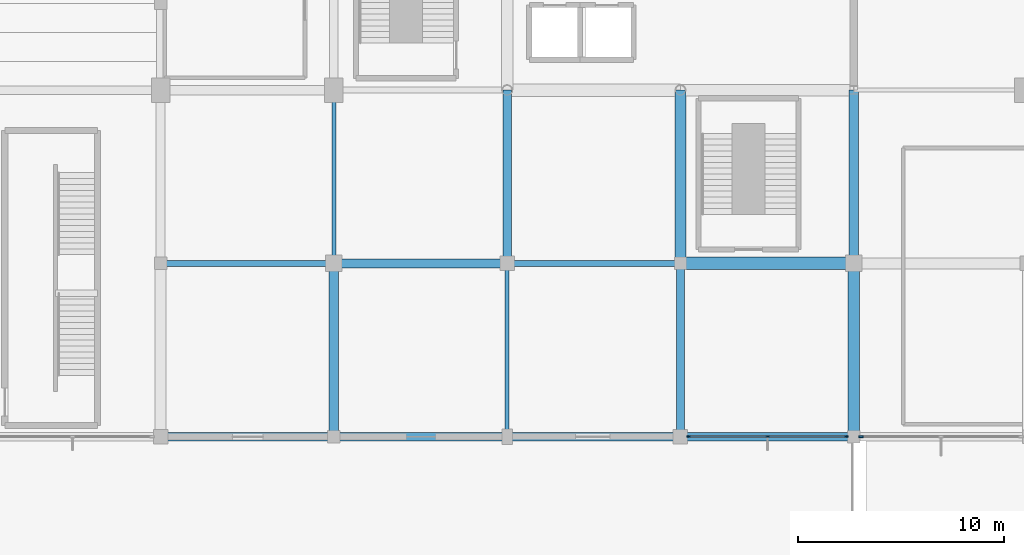
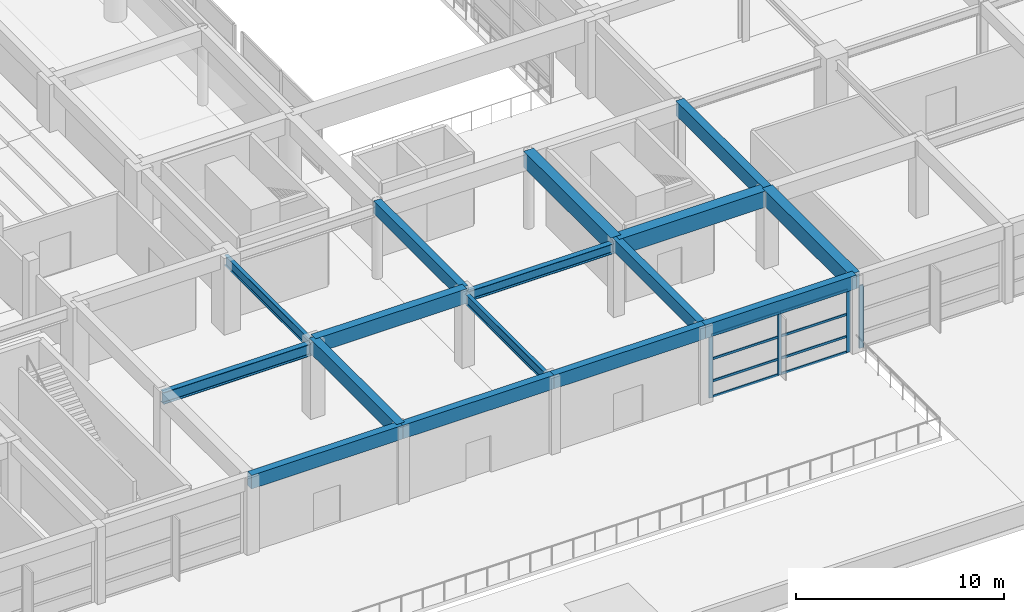
# One storey, part 15 of 60: 16 beams, 12 members, 2 elements without a shape of their own.
"""IFC4 building model written with IfcOpenShell, lengths in metres."""

import ifcopenshell
import ifcopenshell.guid

model = None  # the IFC model being written
_history = None  # IfcOwnerHistory: only IFC2X3 demands one
_inside = {}  # id of a spatial element -> (the spatial element, [elements in it])
_under = {}  # id of a project, library or spatial element -> (it, [spatial elements below it])
_declared = {}  # id of a project -> (the project, [libraries it declares])
_typed = {}  # id of a type object -> (the type object, [elements of that type])
_made_of = {}  # id of a material, layer set ... -> (it, [elements and type objects made of it])


def new_model(schema):
    """Start an empty IFC model of exactly this schema.

    Asked for "IFC4X3", IfcOpenShell would pick the latest addendum, in which some entities
    have other attributes; the version numbers below select the first issue.
    IFC2X3 requires an IfcOwnerHistory on every rooted entity: one is made here for all.
    """
    global model, _history
    if schema == "IFC4X3":
        model = ifcopenshell.file(schema_version=(4, 3, 0, 0))
    else:
        model = ifcopenshell.file(schema=schema)
    _inside.clear()
    _under.clear()
    _declared.clear()
    _typed.clear()
    _made_of.clear()
    _history = None
    if model.schema == "IFC2X3":
        org = make("IfcOrganization", Name="unknown")
        user = make(
            "IfcPersonAndOrganization",
            ThePerson=make("IfcPerson", FamilyName="unknown"),
            TheOrganization=org,
        )
        app = make(
            "IfcApplication",
            ApplicationDeveloper=org,
            Version="unknown",
            ApplicationFullName="unknown",
            ApplicationIdentifier="unknown",
        )
        _history = make(
            "IfcOwnerHistory",
            OwningUser=user,
            OwningApplication=app,
            ChangeAction="ADDED",
            CreationDate=0,
        )
    return model


def make(cls, **values):
    """One entity of the class cls with the attributes given. An attribute that is None is left unset."""
    return model.create_entity(
        cls, **{name: value for name, value in values.items() if value is not None}
    )


def rooted(cls, **values):
    """An entity with a GlobalId (a new one), such as an element, a storey or a relation."""
    return make(cls, GlobalId=ifcopenshell.guid.new(), OwnerHistory=_history, **values)


def si_unit(unit_type, name, prefix=None):
    """IfcSIUnit, for example si_unit("LENGTHUNIT", "METRE", prefix="MILLI")."""
    return make("IfcSIUnit", UnitType=unit_type, Prefix=prefix, Name=name)


def assignment(units):
    """IfcUnitAssignment: the units of a project."""
    return None if units is None else make("IfcUnitAssignment", Units=units)


def point(xyz):
    """IfcCartesianPoint."""
    return None if xyz is None else make("IfcCartesianPoint", Coordinates=xyz)


def direction(xyz):
    """IfcDirection."""
    return None if xyz is None else make("IfcDirection", DirectionRatios=xyz)


def frame(location, z_axis=None, x_axis=None):
    """IfcAxis2Placement3D, a coordinate frame: its origin and axes. An axis left out is left unset."""
    return make(
        "IfcAxis2Placement3D",
        Location=point(location),
        Axis=direction(z_axis),
        RefDirection=direction(x_axis),
    )


def frame_2d(location, x_axis=None):
    """IfcAxis2Placement2D, a coordinate frame in the plane: its origin and x axis."""
    return make(
        "IfcAxis2Placement2D", Location=point(location), RefDirection=direction(x_axis)
    )


def origin():
    """The frame at (0, 0, 0) with its axes left unset."""
    return frame((0.0, 0.0, 0.0))


def origin_2d():
    """The frame at (0, 0) in the plane with its x axis left unset."""
    return frame_2d((0.0, 0.0))


def place(relative_to, where):
    """IfcLocalPlacement: puts the frame where relative to a parent placement (None: the world)."""
    return make(
        "IfcLocalPlacement", PlacementRelTo=relative_to, RelativePlacement=where
    )


def context(
    kind, dimensions, precision=None, world=None, true_north=None, identifier=None
):
    """IfcGeometricRepresentationContext, for example the 3D "Model" context."""
    return make(
        "IfcGeometricRepresentationContext",
        ContextIdentifier=identifier,
        ContextType=kind,
        CoordinateSpaceDimension=dimensions,
        Precision=precision,
        WorldCoordinateSystem=world,
        TrueNorth=true_north,
    )


def subcontext(parent, identifier, kind, view, scale=None):
    """IfcGeometricRepresentationSubContext, for example "Body" below "Model"."""
    return make(
        "IfcGeometricRepresentationSubContext",
        ContextIdentifier=identifier,
        ContextType=kind,
        ParentContext=parent,
        TargetScale=scale,
        TargetView=view,
    )


def project(units=None, contexts=None):
    """IfcProject with its units and contexts."""
    return rooted(
        "IfcProject",
        Name="project",
        RepresentationContexts=contexts,
        UnitsInContext=assignment(units),
    )


def spatial(cls, under=None, at=None, **own):
    """A site, building, storey or space (cls), placed at a placement, below another one or the project."""
    s = rooted(cls, ObjectPlacement=at, **own)
    if under is not None:
        _under.setdefault(under.id(), (under, []))[1].append(s)
    return s


def profile(cls, at=None, kind="AREA", **sizes):
    """A parametric profile (cls). Its sizes go by their IFC names, for example OverallWidth=200.0."""
    return make(cls, ProfileType=kind, Position=at, **sizes)


def rectangle(**sizes):
    """IfcRectangleProfileDef."""
    return profile("IfcRectangleProfileDef", **sizes)


def i_section(**sizes):
    """IfcIShapeProfileDef."""
    return profile("IfcIShapeProfileDef", **sizes)


def extrude(swept, where, along, depth):
    """IfcExtrudedAreaSolid: the profile swept, set in the frame where, extruded along a direction by depth."""
    return make(
        "IfcExtrudedAreaSolid",
        SweptArea=swept,
        Position=where,
        ExtrudedDirection=direction(along),
        Depth=depth,
    )


def shape(context_of_items, identifier, shape_type, items):
    """IfcShapeRepresentation: the items that make up one representation, for example the "Body"."""
    return make(
        "IfcShapeRepresentation",
        ContextOfItems=context_of_items,
        RepresentationIdentifier=identifier,
        RepresentationType=shape_type,
        Items=items,
    )


def material(Name=None, Category=None):
    """IfcMaterial."""
    return make("IfcMaterial", Name=Name, Category=Category)


def material_profile(
    of_material, cross_section, Name=None, Category=None, Priority=None
):
    """IfcMaterialProfile: a cross section and its material."""
    return make(
        "IfcMaterialProfile",
        Name=Name,
        Material=of_material,
        Profile=cross_section,
        Priority=Priority,
        Category=Category,
    )


def profile_set(profiles, Name=None, composite=None):
    """IfcMaterialProfileSet."""
    return make(
        "IfcMaterialProfileSet",
        Name=Name,
        MaterialProfiles=profiles,
        CompositeProfile=composite,
    )


def made_of(thing, what):
    """Note that an element or type object is made of a material, layer set ...; save() writes the relation."""
    if what is not None:
        _made_of.setdefault(what.id(), (what, []))[1].append(thing)
    return thing


def type_object(cls, material=None, **own):
    """A type object (cls), such as IfcWallType, which elements share."""
    return made_of(rooted(cls, **own), material)


def element(
    cls,
    number,
    at=None,
    inside=None,
    cuts=None,
    type_object=None,
    material=None,
    context=None,
    identifier="Body",
    shape_type=None,
    held_by="IfcProductDefinitionShape",
    body=None,
    shapes=None,
    **own,
):
    """One element of the class cls, such as IfcWall. Its Tag is "e" and its number.

    at: its placement. inside: the storey or other place that contains it. cuts: it is an
    opening in that element (IfcRelVoidsElement). A single representation is given by context,
    identifier, shape_type and body (its items); several are given by shapes. held_by: the class
    of the entity that holds the representations. save() writes the other relations.
    """
    e = rooted(cls, Tag="e%d" % number, ObjectPlacement=at, **own)
    if body is not None:
        shapes = [shape(context, identifier, shape_type, body)]
    if shapes is not None:
        e.Representation = make(held_by, Representations=shapes)
    if inside is not None:
        _inside.setdefault(inside.id(), (inside, []))[1].append(e)
    if cuts is not None:
        rooted(
            "IfcRelVoidsElement", RelatingBuildingElement=cuts, RelatedOpeningElement=e
        )
    if type_object is not None:
        _typed.setdefault(type_object.id(), (type_object, []))[1].append(e)
    return made_of(e, material)


def aggregate(whole, parts):
    """IfcRelAggregates: a whole, such as a stair, and the parts it consists of."""
    return rooted("IfcRelAggregates", RelatingObject=whole, RelatedObjects=parts)


def save(model, path):
    """Write the relations noted so far, then the file.

    IfcRelAggregates (storeys below a building ...), IfcRelContainedInSpatialStructure (elements
    in a storey), IfcRelDefinesByType, IfcRelAssociatesMaterial and IfcRelDeclares: one each for
    every whole, place, type object, material and project.
    """
    for whole, parts in _under.values():
        aggregate(whole, parts)
    for where, things in _inside.values():
        rooted(
            "IfcRelContainedInSpatialStructure",
            RelatedElements=things,
            RelatingStructure=where,
        )
    for kind, things in _typed.values():
        rooted("IfcRelDefinesByType", RelatedObjects=things, RelatingType=kind)
    for what, things in _made_of.values():
        rooted("IfcRelAssociatesMaterial", RelatedObjects=things, RelatingMaterial=what)
    for by, libraries in _declared.values():
        rooted("IfcRelDeclares", RelatingContext=by, RelatedDefinitions=libraries)
    model.write(path)


model = new_model("IFC4")

# Units and contexts
model_context = context("Model", 3, precision=1e-05, world=origin(), true_north=direction((0.0, 1.0)))
body_context = subcontext(model_context, "Body", "Model", "MODEL_VIEW")
ifc_project = project(units=[si_unit("LENGTHUNIT", "METRE"), si_unit("AREAUNIT", "SQUARE_METRE"), si_unit("VOLUMEUNIT", "CUBIC_METRE"), si_unit("PLANEANGLEUNIT", "RADIAN"), si_unit("MASSUNIT", "GRAM", prefix="KILO")], contexts=[model_context])

# Site, building, storey
site_placement = place(None, origin())
site = spatial("IfcSite", under=ifc_project, at=site_placement, CompositionType="ELEMENT")
building_placement = place(site_placement, origin())
building = spatial("IfcBuilding", under=site, at=building_placement, Name="Xuanlan Plaza Opera House", CompositionType="ELEMENT")
storey_placement = place(building_placement, frame((0.0, 0.0, 9.89990234375)))
storey = spatial("IfcBuildingStorey", under=building, at=storey_placement, Name="L02", CompositionType="ELEMENT", Elevation=9.89990234375)

# Curtain wall, members
ifc_material_1 = material(Name="Anodised Aluminium 6063-T6 and Low-E Glass", Category="aluminium")
curtain_wall_type_1 = type_object("IfcCurtainWallType", Name="ENV-CW-CW-05", PredefinedType="USERDEFINED", material=ifc_material_1)
curtain_wall_1_placement = place(storey_placement, origin())
curtain_wall_1 = element("IfcCurtainWall", 1, at=curtain_wall_1_placement, inside=storey, type_object=curtain_wall_type_1, Name="Acoustic Glazed Wall L02-014", ObjectType="ACOUSTIC GLAZED WALL", PredefinedType="USERDEFINED")
ifc_material_2 = material(Name="Anodised Aluminium 6063-T6", Category="aluminium")
ifc_material_profile_1 = material_profile(ifc_material_2, rectangle(XDim=0.074951171875, YDim=0.199951171875, at=origin_2d()), Name="ALU-M 75x200")
ifc_profile_set_1 = profile_set([ifc_material_profile_1], Name="Anodised Aluminium 6063-T6")
member_type_1 = type_object("IfcMemberType", Name="ENV-CWM-03", PredefinedType="MULLION", material=ifc_profile_set_1)
member_1_placement = place(storey_placement, frame((118.007568359375, 16.800048828125, 0.0), z_axis=(0.0, 0.0, 1.0), x_axis=(0.0, 1.0, 0.0)))
member_1 = element("IfcMember", 2, at=member_1_placement, type_object=member_type_1, Name="CW-05 mullion 1", PredefinedType="MULLION", context=body_context, shape_type="SweptSolid", body=[
    extrude(rectangle(XDim=0.074951171875, YDim=0.199951171875, at=origin_2d()), origin(), (0.0, 0.0, 1.0), 3.68017578125),
])
member_2_placement = place(storey_placement, frame((121.824951171875, 16.800048828125, 0.0), z_axis=(0.0, 0.0, 1.0), x_axis=(0.0, 1.0, 0.0)))
member_2 = element("IfcMember", 3, at=member_2_placement, type_object=member_type_1, Name="CW-05 mullion 2", PredefinedType="MULLION", context=body_context, shape_type="SweptSolid", body=[
    extrude(rectangle(XDim=0.074951171875, YDim=0.199951171875, at=origin_2d()), origin(), (0.0, 0.0, 1.0), 3.68017578125),
])
member_3_placement = place(storey_placement, frame((125.642578125, 16.800048828125, 0.0), z_axis=(0.0, 0.0, 1.0), x_axis=(0.0, 1.0, 0.0)))
member_3 = element("IfcMember", 4, at=member_3_placement, type_object=member_type_1, Name="CW-05 mullion 3", PredefinedType="MULLION", context=body_context, shape_type="SweptSolid", body=[
    extrude(rectangle(XDim=0.074951171875, YDim=0.199951171875, at=origin_2d()), origin(), (0.0, 0.0, 1.0), 3.68017578125),
])

# Curtain wall, member
curtain_wall_type_2 = type_object("IfcCurtainWallType", Name="ENV-CW-CW-06", PredefinedType="USERDEFINED", material=ifc_material_1)
curtain_wall_2_placement = place(storey_placement, origin())
curtain_wall_2 = element("IfcCurtainWall", 5, at=curtain_wall_2_placement, inside=storey, type_object=curtain_wall_type_2, Name="Acoustic Glazed Wall L02-015", ObjectType="ACOUSTIC GLAZED WALL", PredefinedType="USERDEFINED")
ifc_material_profile_2 = material_profile(ifc_material_2, rectangle(XDim=0.080078125, YDim=0.219970703125, at=origin_2d()), Name="ALU-M 80x220")
ifc_profile_set_2 = profile_set([ifc_material_profile_2], Name="Anodised Aluminium 6063-T6")
member_type_2 = type_object("IfcMemberType", Name="ENV-CWM-04", PredefinedType="MULLION", material=ifc_profile_set_2)
member_4_placement = place(storey_placement, frame((126.360107421875, 16.800048828125, 0.0), z_axis=(0.0, 0.0, 1.0), x_axis=(0.0, 1.0, 0.0)))
member_4 = element("IfcMember", 6, at=member_4_placement, type_object=member_type_2, Name="CW-06 mullion 1", PredefinedType="MULLION", context=body_context, shape_type="SweptSolid", body=[
    extrude(rectangle(XDim=0.080078125, YDim=0.219970703125, at=origin_2d()), origin(), (0.0, 0.0, 1.0), 3.68017578125),
])
aggregate(curtain_wall_2, [member_4])

# Member
ifc_material_profile_3 = material_profile(ifc_material_2, rectangle(XDim=0.070068359375, YDim=0.135009765625, at=origin_2d()), Name="ALU-T 70x135")
ifc_profile_set_3 = profile_set([ifc_material_profile_3], Name="Anodised Aluminium 6063-T6")
member_type_3 = type_object("IfcMemberType", Name="ENV-CWT-02", PredefinedType="USERDEFINED", material=ifc_profile_set_3)
member_5_placement = place(storey_placement, frame((118.044921875, 16.800048828125, 0.03515625), z_axis=(1.0, 0.0, 0.0), x_axis=(0.0, 1.0, 0.0)))
member_5 = element("IfcMember", 7, at=member_5_placement, type_object=member_type_3, Name="CW-05 transom 1.1", ObjectType="TRANSOM", PredefinedType="USERDEFINED", context=body_context, shape_type="SweptSolid", body=[
    extrude(rectangle(XDim=0.070068359375, YDim=0.135009765625, at=origin_2d()), origin(), (0.0, 0.0, 1.0), 3.74267578125),
])

member_6_placement = place(storey_placement, frame((118.044921875, 16.800048828125, 0.9501953125), z_axis=(1.0, 0.0, 0.0), x_axis=(0.0, 1.0, 0.0)))
member_6 = element("IfcMember", 8, at=member_6_placement, type_object=member_type_3, Name="CW-05 transom 1.2", ObjectType="TRANSOM", PredefinedType="USERDEFINED", context=body_context, shape_type="SweptSolid", body=[
    extrude(rectangle(XDim=0.070068359375, YDim=0.135009765625, at=origin_2d()), origin(), (0.0, 0.0, 1.0), 3.74267578125),
])

member_7_placement = place(storey_placement, frame((118.044921875, 16.800048828125, 2.25), z_axis=(1.0, 0.0, 0.0), x_axis=(0.0, 1.0, 0.0)))
member_7 = element("IfcMember", 9, at=member_7_placement, type_object=member_type_3, Name="CW-05 transom 1.3", ObjectType="TRANSOM", PredefinedType="USERDEFINED", context=body_context, shape_type="SweptSolid", body=[
    extrude(rectangle(XDim=0.070068359375, YDim=0.135009765625, at=origin_2d()), origin(), (0.0, 0.0, 1.0), 3.74267578125),
])

member_8_placement = place(storey_placement, frame((118.044921875, 16.800048828125, 3.64501953125), z_axis=(1.0, 0.0, 0.0), x_axis=(0.0, 1.0, 0.0)))
member_8 = element("IfcMember", 10, at=member_8_placement, type_object=member_type_3, Name="CW-05 transom 1.4", ObjectType="TRANSOM", PredefinedType="USERDEFINED", context=body_context, shape_type="SweptSolid", body=[
    extrude(rectangle(XDim=0.070068359375, YDim=0.135009765625, at=origin_2d()), origin(), (0.0, 0.0, 1.0), 3.74267578125),
])

member_9_placement = place(storey_placement, frame((121.862548828125, 16.800048828125, 0.03515625), z_axis=(1.0, 0.0, 0.0), x_axis=(0.0, 1.0, 0.0)))
member_9 = element("IfcMember", 11, at=member_9_placement, type_object=member_type_3, Name="CW-05 transom 2.1", ObjectType="TRANSOM", PredefinedType="USERDEFINED", context=body_context, shape_type="SweptSolid", body=[
    extrude(rectangle(XDim=0.070068359375, YDim=0.135009765625, at=origin_2d()), origin(), (0.0, 0.0, 1.0), 3.742431640625),
])

member_10_placement = place(storey_placement, frame((121.862548828125, 16.800048828125, 0.9501953125), z_axis=(1.0, 0.0, 0.0), x_axis=(0.0, 1.0, 0.0)))
member_10 = element("IfcMember", 12, at=member_10_placement, type_object=member_type_3, Name="CW-05 transom 2.2", ObjectType="TRANSOM", PredefinedType="USERDEFINED", context=body_context, shape_type="SweptSolid", body=[
    extrude(rectangle(XDim=0.070068359375, YDim=0.135009765625, at=origin_2d()), origin(), (0.0, 0.0, 1.0), 3.742431640625),
])

member_11_placement = place(storey_placement, frame((121.862548828125, 16.800048828125, 2.25), z_axis=(1.0, 0.0, 0.0), x_axis=(0.0, 1.0, 0.0)))
member_11 = element("IfcMember", 13, at=member_11_placement, type_object=member_type_3, Name="CW-05 transom 2.3", ObjectType="TRANSOM", PredefinedType="USERDEFINED", context=body_context, shape_type="SweptSolid", body=[
    extrude(rectangle(XDim=0.070068359375, YDim=0.135009765625, at=origin_2d()), origin(), (0.0, 0.0, 1.0), 3.742431640625),
])

member_12_placement = place(storey_placement, frame((121.862548828125, 16.800048828125, 3.64501953125), z_axis=(1.0, 0.0, 0.0), x_axis=(0.0, 1.0, 0.0)))
member_12 = element("IfcMember", 14, at=member_12_placement, type_object=member_type_3, Name="CW-05 transom 2.4", ObjectType="TRANSOM", PredefinedType="USERDEFINED", context=body_context, shape_type="SweptSolid", body=[
    extrude(rectangle(XDim=0.070068359375, YDim=0.135009765625, at=origin_2d()), origin(), (0.0, 0.0, 1.0), 3.742431640625),
])

aggregate(curtain_wall_1, [member_1, member_2, member_3, member_5, member_6, member_7, member_8, member_9, member_10, member_11, member_12])

# Beams
ifc_material_3 = material(Name="Concrete C50", Category="concrete")
ifc_material_profile_4 = material_profile(ifc_material_3, rectangle(XDim=0.60009765625, YDim=0.949951171875, at=origin_2d()), Name="RC-BM 600x950")
ifc_profile_set_4 = profile_set([ifc_material_profile_4], Name="Concrete C50")
beam_type_1 = type_object("IfcBeamType", Name="STR-BM-B-01", PredefinedType="BEAM", material=ifc_profile_set_4)
beam_1_placement = place(storey_placement, frame((117.60009765625, 25.199951171875, 4.025146484375), z_axis=(1.0, 0.0, 0.0), x_axis=(0.0, 1.0, 0.0)))
element("IfcBeam", 15, at=beam_1_placement, inside=storey, type_object=beam_type_1, Name="Grid Beam X L02 15-16/D", PredefinedType="BEAM", context=body_context, shape_type="SweptSolid", body=[
    extrude(rectangle(XDim=0.60009765625, YDim=0.949951171875, at=origin_2d()), origin(), (0.0, 0.0, 1.0), 8.39990234375),
])
ifc_material_profile_5 = material_profile(ifc_material_3, rectangle(XDim=0.550048828125, YDim=0.949951171875, at=origin_2d()), Name="RC-BM 550x950")
ifc_profile_set_5 = profile_set([ifc_material_profile_5], Name="Concrete C50")
beam_type_2 = type_object("IfcBeamType", Name="STR-BM-B-02", PredefinedType="BEAM", material=ifc_profile_set_5)
beam_2_placement = place(storey_placement, frame((117.60009765625, 25.199951171875, 4.025146484375), z_axis=(0.0, 1.0, 0.0), x_axis=(-1.0, 0.0, 0.0)))
element("IfcBeam", 16, at=beam_2_placement, inside=storey, type_object=beam_type_2, Name="Grid Beam Y L02 15/D-E", PredefinedType="BEAM", context=body_context, shape_type="SweptSolid", body=[
    extrude(rectangle(XDim=0.550048828125, YDim=0.949951171875, at=origin_2d()), origin(), (0.0, 0.0, 1.0), 8.400146484375),
])
beam_3_placement = place(storey_placement, frame((126.0, 16.800048828125, 4.025146484375), z_axis=(0.0, 1.0, 0.0), x_axis=(-1.0, 0.0, 0.0)))
element("IfcBeam", 17, at=beam_3_placement, inside=storey, type_object=beam_type_2, Name="Grid Beam Y L02 16/C-D", PredefinedType="BEAM", context=body_context, shape_type="SweptSolid", body=[
    extrude(rectangle(XDim=0.550048828125, YDim=0.949951171875, at=origin_2d()), origin(), (0.0, 0.0, 1.0), 8.39990234375),
])
ifc_material_4 = material(Name="Concrete C40", Category="concrete")
ifc_material_profile_6 = material_profile(ifc_material_4, rectangle(XDim=0.449951171875, YDim=0.85009765625, at=origin_2d()), Name="RC-BM 450x850")
ifc_profile_set_6 = profile_set([ifc_material_profile_6], Name="Concrete C40")
beam_type_3 = type_object("IfcBeamType", Name="STR-BM-B-04", PredefinedType="BEAM", material=ifc_profile_set_6)
for number, where, z_axis, x_axis, name in (
    (18, (100.800048828125, 25.199951171875, 4.0751953125), (1.0, 0.0, 0.0), (0.0, 1.0, 0.0), "Grid Beam X L02 13-14/D"),
    (19, (100.800048828125, 16.800048828125, 4.0751953125), (0.0, 1.0, 0.0), (-1.0, 0.0, 0.0), "Grid Beam Y L02 13/C-D"),
):
    element("IfcBeam", number, at=place(storey_placement, frame(where, z_axis=z_axis, x_axis=x_axis)), inside=storey, type_object=beam_type_3, Name=name, PredefinedType="BEAM", context=body_context, shape_type="SweptSolid", body=[
        extrude(rectangle(XDim=0.449951171875, YDim=0.85009765625, at=origin_2d()), origin(), (0.0, 0.0, 1.0), 8.39990234375),
    ])
beam_4_placement = place(storey_placement, frame((126.0, 25.199951171875, 4.0751953125), z_axis=(0.0, 1.0, 0.0), x_axis=(-1.0, 0.0, 0.0)))
element("IfcBeam", 20, at=beam_4_placement, inside=storey, type_object=beam_type_3, Name="Grid Beam Y L02 16/D-E", PredefinedType="BEAM", context=body_context, shape_type="SweptSolid", body=[
    extrude(rectangle(XDim=0.449951171875, YDim=0.85009765625, at=origin_2d()), origin(), (0.0, 0.0, 1.0), 8.400146484375),
])
ifc_material_profile_7 = material_profile(ifc_material_4, rectangle(XDim=0.39990234375, YDim=0.75, at=origin_2d()), Name="RC-BM 400x750")
ifc_profile_set_7 = profile_set([ifc_material_profile_7], Name="Concrete C40")
beam_type_4 = type_object("IfcBeamType", Name="STR-BM-B-06", PredefinedType="BEAM", material=ifc_profile_set_7)
beam_5_placement = place(storey_placement, frame((109.199951171875, 25.199951171875, 4.125), z_axis=(0.0, 1.0, 0.0), x_axis=(-1.0, 0.0, 0.0)))
element("IfcBeam", 21, at=beam_5_placement, inside=storey, type_object=beam_type_4, Name="Grid Beam Y L02 14/D-E", PredefinedType="BEAM", context=body_context, shape_type="SweptSolid", body=[
    extrude(rectangle(XDim=0.39990234375, YDim=0.75, at=origin_2d()), origin(), (0.0, 0.0, 1.0), 8.400146484375),
])
beam_6_placement = place(storey_placement, frame((117.60009765625, 16.800048828125, 4.125), z_axis=(0.0, 1.0, 0.0), x_axis=(-1.0, 0.0, 0.0)))
element("IfcBeam", 22, at=beam_6_placement, inside=storey, type_object=beam_type_4, Name="Grid Beam Y L02 15/C-D", PredefinedType="BEAM", context=body_context, shape_type="SweptSolid", body=[
    extrude(rectangle(XDim=0.39990234375, YDim=0.75, at=origin_2d()), origin(), (0.0, 0.0, 1.0), 8.39990234375),
])
ifc_material_5 = material(Name="Steel Q355B", Category="steel")
ifc_material_profile_8 = material_profile(ifc_material_5, i_section(OverallWidth=0.300048828125, OverallDepth=0.699951171875, WebThickness=0.012939453125, FlangeThickness=0.02392578125, FilletRadius=0.02392578125, at=origin_2d()), Name="HN 700x300x13x24")
ifc_profile_set_8 = profile_set([ifc_material_profile_8], Name="Steel Q355B")
beam_type_5 = type_object("IfcBeamType", Name="STR-BM-SB-03", PredefinedType="BEAM", material=ifc_profile_set_8)
beam_7_placement = place(storey_placement, frame((92.39990234375, 25.199951171875, 3.885009765625), z_axis=(1.0, 0.0, 0.0), x_axis=(0.0, 1.0, 0.0)))
element("IfcBeam", 23, at=beam_7_placement, inside=storey, type_object=beam_type_5, Name="Grid Beam X L02 12-13/D", PredefinedType="BEAM", context=body_context, shape_type="SweptSolid", body=[
    extrude(i_section(OverallWidth=0.300048828125, OverallDepth=0.699951171875, WebThickness=0.012939453125, FlangeThickness=0.02392578125, FilletRadius=0.02392578125, at=origin_2d()), origin(), (0.0, 0.0, 1.0), 8.400146484375),
])
ifc_material_profile_9 = material_profile(ifc_material_5, i_section(OverallWidth=0.199951171875, OverallDepth=0.60009765625, WebThickness=0.010986328125, FlangeThickness=0.01708984375, FilletRadius=0.02197265625, at=origin_2d()), Name="HN 600x200x11x17")
ifc_profile_set_9 = profile_set([ifc_material_profile_9], Name="Steel Q355B")
beam_type_6 = type_object("IfcBeamType", Name="STR-BM-SB-04", PredefinedType="BEAM", material=ifc_profile_set_9)
beam_8_placement = place(storey_placement, frame((100.800048828125, 25.199951171875, 3.93505859375), z_axis=(0.0, 1.0, 0.0), x_axis=(-1.0, 0.0, 0.0)))
element("IfcBeam", 24, at=beam_8_placement, inside=storey, type_object=beam_type_6, Name="Grid Beam Y L02 13/D-E", PredefinedType="BEAM", context=body_context, shape_type="SweptSolid", body=[
    extrude(i_section(OverallWidth=0.199951171875, OverallDepth=0.60009765625, WebThickness=0.010986328125, FlangeThickness=0.01708984375, FilletRadius=0.02197265625, at=origin_2d()), origin(), (0.0, 0.0, 1.0), 8.400146484375),
])
beam_9_placement = place(storey_placement, frame((109.199951171875, 16.800048828125, 3.93505859375), z_axis=(0.0, 1.0, 0.0), x_axis=(-1.0, 0.0, 0.0)))
element("IfcBeam", 25, at=beam_9_placement, inside=storey, type_object=beam_type_6, Name="Grid Beam Y L02 14/C-D", PredefinedType="BEAM", context=body_context, shape_type="SweptSolid", body=[
    extrude(i_section(OverallWidth=0.199951171875, OverallDepth=0.60009765625, WebThickness=0.010986328125, FlangeThickness=0.01708984375, FilletRadius=0.02197265625, at=origin_2d()), origin(), (0.0, 0.0, 1.0), 8.39990234375),
])
ifc_material_profile_10 = material_profile(ifc_material_5, i_section(OverallWidth=0.300048828125, OverallDepth=0.587890625, WebThickness=0.011962890625, FlangeThickness=0.02001953125, FilletRadius=0.02392578125, at=origin_2d()), Name="HM 588x300x12x20")
ifc_profile_set_10 = profile_set([ifc_material_profile_10], Name="Steel Q355B")
beam_type_7 = type_object("IfcBeamType", Name="STR-BM-SB-06", PredefinedType="BEAM", material=ifc_profile_set_10)
beam_10_placement = place(storey_placement, frame((109.199951171875, 25.199951171875, 3.941162109375), z_axis=(1.0, 0.0, 0.0), x_axis=(0.0, 1.0, 0.0)))
element("IfcBeam", 26, at=beam_10_placement, inside=storey, type_object=beam_type_7, Name="Grid Beam X L02 14-15/D", PredefinedType="BEAM", context=body_context, shape_type="SweptSolid", body=[
    extrude(i_section(OverallWidth=0.300048828125, OverallDepth=0.587890625, WebThickness=0.011962890625, FlangeThickness=0.02001953125, FilletRadius=0.02392578125, at=origin_2d()), origin(), (0.0, 0.0, 1.0), 8.400146484375),
])
ifc_material_profile_11 = material_profile(ifc_material_4, rectangle(XDim=0.39990234375, YDim=0.800048828125, at=origin_2d()), Name="RC-SPD 400x800")
ifc_profile_set_11 = profile_set([ifc_material_profile_11], Name="Concrete C40")
beam_type_8 = type_object("IfcBeamType", Name="STR-BM-SP-01", PredefinedType="SPANDREL", material=ifc_profile_set_11)
beam_11_placement = place(storey_placement, frame((92.39990234375, 16.800048828125, 4.10009765625), z_axis=(1.0, 0.0, 0.0), x_axis=(0.0, 1.0, 0.0)))
element("IfcBeam", 27, at=beam_11_placement, inside=storey, type_object=beam_type_8, Name="Grid Beam X L02 12-13/C", PredefinedType="SPANDREL", context=body_context, shape_type="SweptSolid", body=[
    extrude(rectangle(XDim=0.39990234375, YDim=0.800048828125, at=origin_2d()), origin(), (0.0, 0.0, 1.0), 8.400146484375),
])
beam_12_placement = place(storey_placement, frame((100.800048828125, 16.800048828125, 4.10009765625), z_axis=(1.0, 0.0, 0.0), x_axis=(0.0, 1.0, 0.0)))
element("IfcBeam", 28, at=beam_12_placement, inside=storey, type_object=beam_type_8, Name="Grid Beam X L02 13-14/C", PredefinedType="SPANDREL", context=body_context, shape_type="SweptSolid", body=[
    extrude(rectangle(XDim=0.39990234375, YDim=0.800048828125, at=origin_2d()), origin(), (0.0, 0.0, 1.0), 8.39990234375),
])
beam_13_placement = place(storey_placement, frame((109.199951171875, 16.800048828125, 4.10009765625), z_axis=(1.0, 0.0, 0.0), x_axis=(0.0, 1.0, 0.0)))
element("IfcBeam", 29, at=beam_13_placement, inside=storey, type_object=beam_type_8, Name="Grid Beam X L02 14-15/C", PredefinedType="SPANDREL", context=body_context, shape_type="SweptSolid", body=[
    extrude(rectangle(XDim=0.39990234375, YDim=0.800048828125, at=origin_2d()), origin(), (0.0, 0.0, 1.0), 8.400146484375),
])
beam_14_placement = place(storey_placement, frame((117.60009765625, 16.800048828125, 4.10009765625), z_axis=(1.0, 0.0, 0.0), x_axis=(0.0, 1.0, 0.0)))
element("IfcBeam", 30, at=beam_14_placement, inside=storey, type_object=beam_type_8, Name="Grid Beam X L02 15-16/C", PredefinedType="SPANDREL", context=body_context, shape_type="SweptSolid", body=[
    extrude(rectangle(XDim=0.39990234375, YDim=0.800048828125, at=origin_2d()), origin(), (0.0, 0.0, 1.0), 8.39990234375),
])

save(model, "model.ifc")
